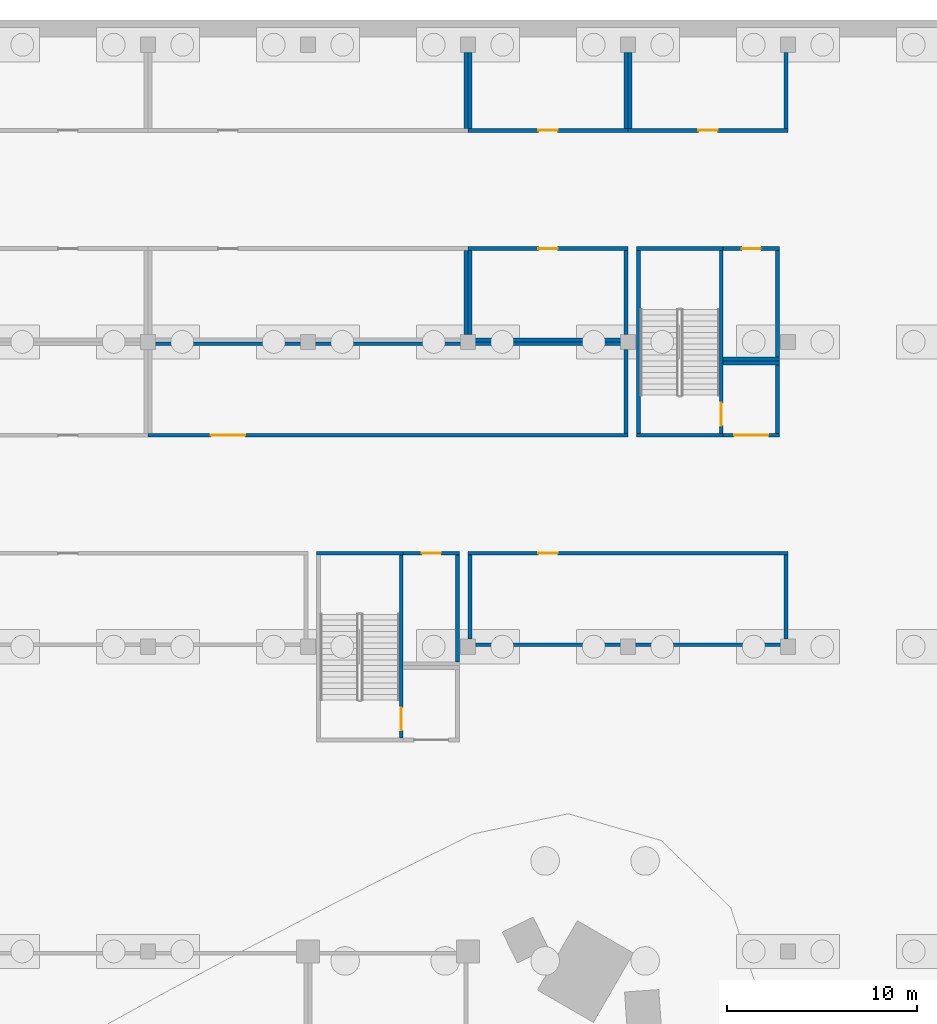
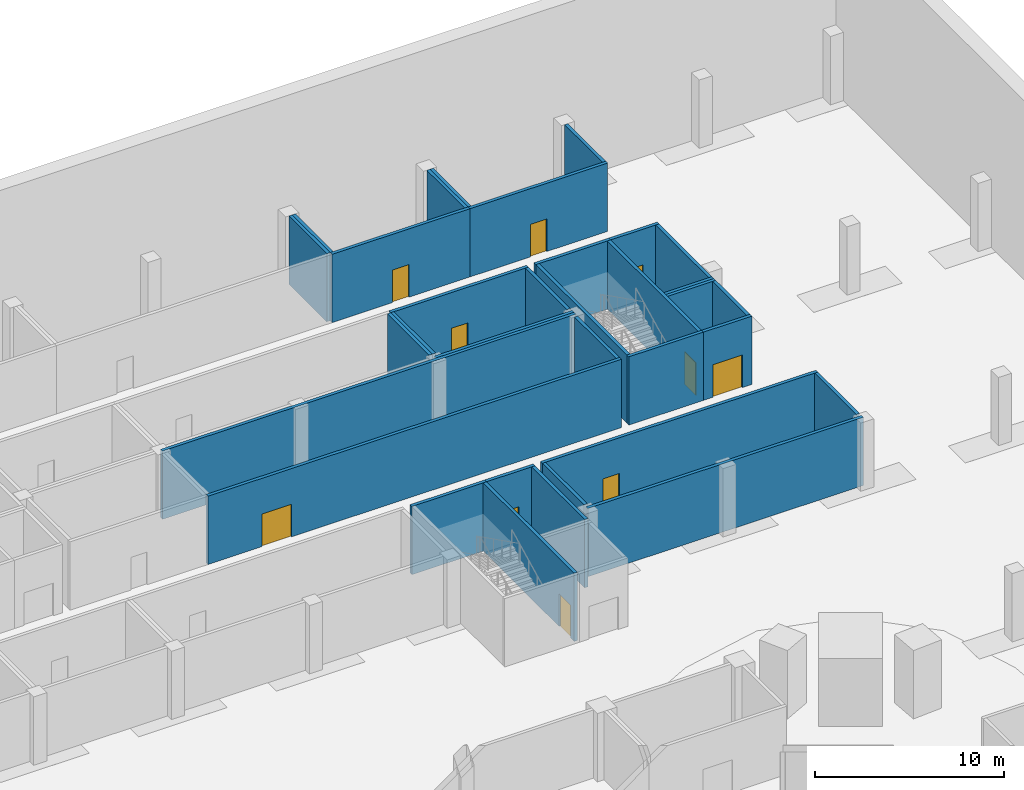
# One storey, part 25 of 46: 33 walls, 10 doors, 10 openings.
"""IFC4 building model written with IfcOpenShell, lengths in metres."""

from ifc_helpers import new_model, si_unit, direction, frame, frame_2d, origin, place, context, subcontext, project, spatial, rectangle, extrude, material, layer, layer_set, type_object, element, fill, save


model = new_model("IFC4")

# Units and contexts
model_context = context("Model", 3, precision=1e-05, world=origin(), true_north=direction((0.0, 1.0)))
body_context = subcontext(model_context, "Body", "Model", "MODEL_VIEW")
ifc_project = project(units=[si_unit("LENGTHUNIT", "METRE"), si_unit("AREAUNIT", "SQUARE_METRE"), si_unit("VOLUMEUNIT", "CUBIC_METRE"), si_unit("PLANEANGLEUNIT", "RADIAN"), si_unit("MASSUNIT", "GRAM", prefix="KILO")], contexts=[model_context])

# Site, building, storey
site_placement = place(None, origin())
site = spatial("IfcSite", under=ifc_project, at=site_placement, CompositionType="ELEMENT")
building_placement = place(site_placement, origin())
building = spatial("IfcBuilding", under=site, at=building_placement, Name="Tamra Quay Hotel Tower", CompositionType="ELEMENT")
storey_placement = place(building_placement, frame((0.0, 0.0, -12.0)))
storey = spatial("IfcBuildingStorey", under=building, at=storey_placement, Name="B3", CompositionType="ELEMENT", Elevation=-12.0)

# Wall
ifc_material_1 = material(Name="Blockwork", Category="masonry")
ifc_layer_1 = layer(ifc_material_1, 0.199951171875)
ifc_layer_set_1 = layer_set([ifc_layer_1], Name="Car park room wall 200")
wall_type_1 = type_object("IfcWallType", Name="Car park room wall 200", PredefinedType="PARTITIONING", material=ifc_layer_set_1)
wall_1_placement = place(storey_placement, frame((11.699951171875, 48.10009765625, 0.0), z_axis=(0.0, 0.0, 1.0), x_axis=(1.0, 0.0, 0.0)))
element("IfcWall", 1, at=wall_1_placement, inside=storey, type_object=wall_type_1, Name="PW", PredefinedType="PARTITIONING", context=body_context, shape_type="SweptSolid", body=[
    extrude(rectangle(XDim=16.800048828125, YDim=0.199951171875, at=frame_2d((8.39990234375, 0.0))), origin(), (0.0, 0.0, 1.0), 4.39990234375),
])

# Wall, opening, door
wall_2_placement = place(storey_placement, frame((11.699951171875, 52.89990234375, 0.0), z_axis=(0.0, 0.0, 1.0), x_axis=(1.0, 0.0, 0.0)))
wall_2 = element("IfcWall", 2, at=wall_2_placement, inside=storey, type_object=wall_type_1, Name="PW", PredefinedType="PARTITIONING", context=body_context, shape_type="SweptSolid", body=[
    extrude(rectangle(XDim=16.800048828125, YDim=0.199951171875, at=frame_2d((8.39990234375, 0.0))), origin(), (0.0, 0.0, 1.0), 4.39990234375),
])
opening_1_placement = place(wall_2_placement, frame((3.699951171875, 0.0, 0.0)))
opening_1 = element("IfcOpeningElement", 3, at=opening_1_placement, cuts=wall_2, Name="Opening PD1", PredefinedType="OPENING", context=body_context, shape_type="SweptSolid", body=[
    extrude(rectangle(XDim=1.0, YDim=2.10009765625, at=frame_2d((0.5, 1.050048828125))), frame((0.0, 0.10986328125, 0.0), z_axis=(0.0, -1.0, 0.0), x_axis=(1.0, 0.0, 0.0)), (0.0, 0.0, 1.0), 0.219970703125),
])
ifc_material_2 = material(Name="Car park door 1000 x 2100")
door_type_1 = type_object("IfcDoorType", Name="Car park door 1000 x 2100", OperationType="NOTDEFINED", PredefinedType="DOOR", material=ifc_material_2)
door_1_placement = place(opening_1_placement, origin())
door_1 = element("IfcDoor", 4, at=door_1_placement, inside=storey, type_object=door_type_1, Name="PD1", OperationType="SINGLE_SWING_LEFT", OverallHeight=2.10009765625, OverallWidth=1.0, PredefinedType="DOOR", context=body_context, shape_type="SweptSolid", body=[
    extrude(rectangle(XDim=1.0, YDim=2.10009765625, at=frame_2d((0.5, 1.050048828125))), frame((0.0, 0.02490234375, 0.0), z_axis=(0.0, -1.0, 0.0), x_axis=(1.0, 0.0, 0.0)), (0.0, 0.0, 1.0), 0.050048828125),
])
fill(opening_1, door_1)

# Walls
for number, where, z_axis, x_axis, name in (
    (5, (11.800048828125, 48.39990234375, 0.0), (0.0, 0.0, 1.0), (0.0, 1.0, 0.0), "PW"),
    (6, (28.39990234375, 48.39990234375, 0.0), (0.0, 0.0, 1.0), (0.0, 1.0, 0.0), "PW"),
):
    element("IfcWall", number, at=place(storey_placement, frame(where, z_axis=z_axis, x_axis=x_axis)), inside=storey, type_object=wall_type_1, Name=name, PredefinedType="PARTITIONING", context=body_context, shape_type="SweptSolid", body=[
        extrude(rectangle(XDim=4.400146484375, YDim=0.199951171875, at=frame_2d((2.2001953125, 0.0))), origin(), (0.0, 0.0, 1.0), 4.39990234375),
    ])

# Wall, opening, door
wall_3_placement = place(storey_placement, frame((-5.10009765625, 59.10009765625, 0.0), z_axis=(0.0, 0.0, 1.0), x_axis=(1.0, 0.0, 0.0)))
wall_3 = element("IfcWall", 7, at=wall_3_placement, inside=storey, type_object=wall_type_1, Name="PW", PredefinedType="PARTITIONING", context=body_context, shape_type="SweptSolid", body=[
    extrude(rectangle(XDim=25.2001953125, YDim=0.199951171875, at=frame_2d((12.60009765625, 0.0))), origin(), (0.0, 0.0, 1.0), 4.39990234375),
])
opening_2_placement = place(wall_3_placement, frame((3.300048828125, 0.0, 0.0)))
opening_2 = element("IfcOpeningElement", 8, at=opening_2_placement, cuts=wall_3, Name="Opening PD2", PredefinedType="OPENING", context=body_context, shape_type="SweptSolid", body=[
    extrude(rectangle(XDim=1.800048828125, YDim=2.10009765625, at=frame_2d((0.89990234375, 1.050048828125))), frame((0.0, 0.10986328125, 0.0), z_axis=(0.0, -1.0, 0.0), x_axis=(1.0, 0.0, 0.0)), (0.0, 0.0, 1.0), 0.219970703125),
])
ifc_material_3 = material(Name="Plant door 1800 x 2100")
door_type_2 = type_object("IfcDoorType", Name="Plant door 1800 x 2100", OperationType="DOUBLE_DOOR_SINGLE_SWING", PredefinedType="DOOR", material=ifc_material_3)
door_2_placement = place(opening_2_placement, origin())
door_2 = element("IfcDoor", 9, at=door_2_placement, inside=storey, type_object=door_type_2, Name="PD2", OperationType="DOUBLE_DOOR_SINGLE_SWING", OverallHeight=2.10009765625, OverallWidth=1.800048828125, PredefinedType="DOOR", context=body_context, shape_type="SweptSolid", body=[
    extrude(rectangle(XDim=1.800048828125, YDim=2.10009765625, at=frame_2d((0.89990234375, 1.050048828125))), frame((0.0, 0.02490234375, 0.0), z_axis=(0.0, -1.0, 0.0), x_axis=(1.0, 0.0, 0.0)), (0.0, 0.0, 1.0), 0.050048828125),
])
fill(opening_2, door_2)

# Walls
wall_4_placement = place(storey_placement, frame((-5.10009765625, 63.89990234375, 0.0), z_axis=(0.0, 0.0, 1.0), x_axis=(1.0, 0.0, 0.0)))
element("IfcWall", 10, at=wall_4_placement, inside=storey, type_object=wall_type_1, Name="PW", PredefinedType="PARTITIONING", context=body_context, shape_type="SweptSolid", body=[
    extrude(rectangle(XDim=25.2001953125, YDim=0.199951171875, at=frame_2d((12.60009765625, 0.0))), origin(), (0.0, 0.0, 1.0), 4.39990234375),
])
for number, where, z_axis, x_axis, name in (
    (11, (20.0, 59.199951171875, 0.0), (0.0, 0.0, 1.0), (0.0, 1.0, 0.0), "PW"),
    (12, (11.60009765625, 64.39990234375, 0.0), (0.0, 0.0, 1.0), (0.0, 1.0, 0.0), "PW"),
):
    element("IfcWall", number, at=place(storey_placement, frame(where, z_axis=z_axis, x_axis=x_axis)), inside=storey, type_object=wall_type_1, Name=name, PredefinedType="PARTITIONING", context=body_context, shape_type="SweptSolid", body=[
        extrude(rectangle(XDim=4.400146484375, YDim=0.199951171875, at=frame_2d((2.2001953125, 0.0))), origin(), (0.0, 0.0, 1.0), 4.39990234375),
    ])
wall_5_placement = place(storey_placement, frame((11.699951171875, 64.10009765625, 0.0), z_axis=(0.0, 0.0, 1.0), x_axis=(1.0, 0.0, 0.0)))
element("IfcWall", 13, at=wall_5_placement, inside=storey, type_object=wall_type_1, Name="PW", PredefinedType="PARTITIONING", context=body_context, shape_type="SweptSolid", body=[
    extrude(rectangle(XDim=8.400146484375, YDim=0.199951171875, at=frame_2d((4.2001953125, 0.0))), origin(), (0.0, 0.0, 1.0), 4.39990234375),
])

# Wall, opening, door
wall_6_placement = place(storey_placement, frame((11.699951171875, 68.89990234375, 0.0), z_axis=(0.0, 0.0, 1.0), x_axis=(1.0, 0.0, 0.0)))
wall_6 = element("IfcWall", 14, at=wall_6_placement, inside=storey, type_object=wall_type_1, Name="PW", PredefinedType="PARTITIONING", context=body_context, shape_type="SweptSolid", body=[
    extrude(rectangle(XDim=8.400146484375, YDim=0.199951171875, at=frame_2d((4.2001953125, 0.0))), origin(), (0.0, 0.0, 1.0), 4.39990234375),
])
opening_3_placement = place(wall_6_placement, frame((3.699951171875, 0.0, 0.0)))
opening_3 = element("IfcOpeningElement", 15, at=opening_3_placement, cuts=wall_6, Name="Opening PD1", PredefinedType="OPENING", context=body_context, shape_type="SweptSolid", body=[
    extrude(rectangle(XDim=1.0, YDim=2.10009765625, at=frame_2d((0.5, 1.050048828125))), frame((0.0, 0.10986328125, 0.0), z_axis=(0.0, -1.0, 0.0), x_axis=(1.0, 0.0, 0.0)), (0.0, 0.0, 1.0), 0.219970703125),
])
door_3_placement = place(opening_3_placement, origin())
door_3 = element("IfcDoor", 16, at=door_3_placement, inside=storey, type_object=door_type_1, Name="PD1", OperationType="SINGLE_SWING_LEFT", OverallHeight=2.10009765625, OverallWidth=1.0, PredefinedType="DOOR", context=body_context, shape_type="SweptSolid", body=[
    extrude(rectangle(XDim=1.0, YDim=2.10009765625, at=frame_2d((0.5, 1.050048828125))), frame((0.0, 0.02490234375, 0.0), z_axis=(0.0, -1.0, 0.0), x_axis=(1.0, 0.0, 0.0)), (0.0, 0.0, 1.0), 0.050048828125),
])
fill(opening_3, door_3)

# Walls
for number, where, z_axis, x_axis, name in (
    (17, (11.800048828125, 64.39990234375, 0.0), (0.0, 0.0, 1.0), (0.0, 1.0, 0.0), "PW"),
    (18, (20.0, 64.39990234375, 0.0), (0.0, 0.0, 1.0), (0.0, 1.0, 0.0), "PW"),
):
    element("IfcWall", number, at=place(storey_placement, frame(where, z_axis=z_axis, x_axis=x_axis)), inside=storey, type_object=wall_type_1, Name=name, PredefinedType="PARTITIONING", context=body_context, shape_type="SweptSolid", body=[
        extrude(rectangle(XDim=4.400146484375, YDim=0.199951171875, at=frame_2d((2.2001953125, 0.0))), origin(), (0.0, 0.0, 1.0), 4.39990234375),
    ])
wall_7_placement = place(storey_placement, frame((11.60009765625, 75.199951171875, 0.0), z_axis=(0.0, 0.0, 1.0), x_axis=(0.0, 1.0, 0.0)))
element("IfcWall", 19, at=wall_7_placement, inside=storey, type_object=wall_type_1, Name="PW", PredefinedType="PARTITIONING", context=body_context, shape_type="SweptSolid", body=[
    extrude(rectangle(XDim=4.0, YDim=0.199951171875, at=frame_2d((2.0, 0.0))), origin(), (0.0, 0.0, 1.0), 4.39990234375),
])

# Wall, opening, door
wall_8_placement = place(storey_placement, frame((11.699951171875, 75.10009765625, 0.0), z_axis=(0.0, 0.0, 1.0), x_axis=(1.0, 0.0, 0.0)))
wall_8 = element("IfcWall", 20, at=wall_8_placement, inside=storey, type_object=wall_type_1, Name="PW", PredefinedType="PARTITIONING", context=body_context, shape_type="SweptSolid", body=[
    extrude(rectangle(XDim=8.400146484375, YDim=0.199951171875, at=frame_2d((4.2001953125, 0.0))), origin(), (0.0, 0.0, 1.0), 4.39990234375),
])
opening_4_placement = place(wall_8_placement, frame((3.699951171875, 0.0, 0.0)))
opening_4 = element("IfcOpeningElement", 21, at=opening_4_placement, cuts=wall_8, Name="Opening PD1", PredefinedType="OPENING", context=body_context, shape_type="SweptSolid", body=[
    extrude(rectangle(XDim=1.0, YDim=2.10009765625, at=frame_2d((0.5, 1.050048828125))), frame((0.0, 0.10986328125, 0.0), z_axis=(0.0, -1.0, 0.0), x_axis=(1.0, 0.0, 0.0)), (0.0, 0.0, 1.0), 0.219970703125),
])
door_4_placement = place(opening_4_placement, origin())
door_4 = element("IfcDoor", 22, at=door_4_placement, inside=storey, type_object=door_type_1, Name="PD1", OperationType="SINGLE_SWING_LEFT", OverallHeight=2.10009765625, OverallWidth=1.0, PredefinedType="DOOR", context=body_context, shape_type="SweptSolid", body=[
    extrude(rectangle(XDim=1.0, YDim=2.10009765625, at=frame_2d((0.5, 1.050048828125))), frame((0.0, 0.02490234375, 0.0), z_axis=(0.0, -1.0, 0.0), x_axis=(1.0, 0.0, 0.0)), (0.0, 0.0, 1.0), 0.050048828125),
])
fill(opening_4, door_4)

# Walls
for number, where, z_axis, x_axis, name in (
    (23, (11.800048828125, 75.199951171875, 0.0), (0.0, 0.0, 1.0), (0.0, 1.0, 0.0), "PW"),
    (24, (20.0, 75.199951171875, 0.0), (0.0, 0.0, 1.0), (0.0, 1.0, 0.0), "PW"),
):
    element("IfcWall", number, at=place(storey_placement, frame(where, z_axis=z_axis, x_axis=x_axis)), inside=storey, type_object=wall_type_1, Name=name, PredefinedType="PARTITIONING", context=body_context, shape_type="SweptSolid", body=[
        extrude(rectangle(XDim=4.0, YDim=0.199951171875, at=frame_2d((2.0, 0.0))), origin(), (0.0, 0.0, 1.0), 4.39990234375),
    ])

# Wall, opening, door
wall_9_placement = place(storey_placement, frame((20.10009765625, 75.10009765625, 0.0), z_axis=(0.0, 0.0, 1.0), x_axis=(1.0, 0.0, 0.0)))
wall_9 = element("IfcWall", 25, at=wall_9_placement, inside=storey, type_object=wall_type_1, Name="PW", PredefinedType="PARTITIONING", context=body_context, shape_type="SweptSolid", body=[
    extrude(rectangle(XDim=8.39990234375, YDim=0.199951171875, at=frame_2d((4.199951171875, 0.0))), origin(), (0.0, 0.0, 1.0), 4.39990234375),
])
opening_5_placement = place(wall_9_placement, frame((3.699951171875, 0.0, 0.0)))
opening_5 = element("IfcOpeningElement", 26, at=opening_5_placement, cuts=wall_9, Name="Opening PD1", PredefinedType="OPENING", context=body_context, shape_type="SweptSolid", body=[
    extrude(rectangle(XDim=1.0, YDim=2.10009765625, at=frame_2d((0.5, 1.050048828125))), frame((0.0, 0.10986328125, 0.0), z_axis=(0.0, -1.0, 0.0), x_axis=(1.0, 0.0, 0.0)), (0.0, 0.0, 1.0), 0.219970703125),
])
door_5_placement = place(opening_5_placement, origin())
door_5 = element("IfcDoor", 27, at=door_5_placement, inside=storey, type_object=door_type_1, Name="PD1", OperationType="SINGLE_SWING_LEFT", OverallHeight=2.10009765625, OverallWidth=1.0, PredefinedType="DOOR", context=body_context, shape_type="SweptSolid", body=[
    extrude(rectangle(XDim=1.0, YDim=2.10009765625, at=frame_2d((0.5, 1.050048828125))), frame((0.0, 0.02490234375, 0.0), z_axis=(0.0, -1.0, 0.0), x_axis=(1.0, 0.0, 0.0)), (0.0, 0.0, 1.0), 0.050048828125),
])
fill(opening_5, door_5)

# Walls
for number, where, z_axis, x_axis, name in (
    (28, (20.199951171875, 75.199951171875, 0.0), (0.0, 0.0, 1.0), (0.0, 1.0, 0.0), "PW"),
    (29, (28.39990234375, 75.199951171875, 0.0), (0.0, 0.0, 1.0), (0.0, 1.0, 0.0), "PW"),
):
    element("IfcWall", number, at=place(storey_placement, frame(where, z_axis=z_axis, x_axis=x_axis)), inside=storey, type_object=wall_type_1, Name=name, PredefinedType="PARTITIONING", context=body_context, shape_type="SweptSolid", body=[
        extrude(rectangle(XDim=4.0, YDim=0.199951171875, at=frame_2d((2.0, 0.0))), origin(), (0.0, 0.0, 1.0), 4.39990234375),
    ])

# Wall, opening, door
wall_10_placement = place(storey_placement, frame((8.300048828125, 52.89990234375, 0.0), z_axis=(0.0, 0.0, 1.0), x_axis=(1.0, 0.0, 0.0)))
wall_10 = element("IfcWall", 30, at=wall_10_placement, inside=storey, type_object=wall_type_1, Name="PW", PredefinedType="PARTITIONING", context=body_context, shape_type="SweptSolid", body=[
    extrude(rectangle(XDim=2.949951171875, YDim=0.199951171875, at=frame_2d((1.47509765625, 0.0))), origin(), (0.0, 0.0, 1.0), 4.39990234375),
])
opening_6_placement = place(wall_10_placement, frame((0.97509765625, 0.0, 0.0)))
opening_6 = element("IfcOpeningElement", 31, at=opening_6_placement, cuts=wall_10, Name="Opening PD1", PredefinedType="OPENING", context=body_context, shape_type="SweptSolid", body=[
    extrude(rectangle(XDim=1.0, YDim=2.10009765625, at=frame_2d((0.5, 1.050048828125))), frame((0.0, 0.10986328125, 0.0), z_axis=(0.0, -1.0, 0.0), x_axis=(1.0, 0.0, 0.0)), (0.0, 0.0, 1.0), 0.219970703125),
])
door_6_placement = place(opening_6_placement, origin())
door_6 = element("IfcDoor", 32, at=door_6_placement, inside=storey, type_object=door_type_1, Name="PD1", OperationType="SINGLE_SWING_LEFT", OverallHeight=2.10009765625, OverallWidth=1.0, PredefinedType="DOOR", context=body_context, shape_type="SweptSolid", body=[
    extrude(rectangle(XDim=1.0, YDim=2.10009765625, at=frame_2d((0.5, 1.050048828125))), frame((0.0, 0.02490234375, 0.0), z_axis=(0.0, -1.0, 0.0), x_axis=(1.0, 0.0, 0.0)), (0.0, 0.0, 1.0), 0.050048828125),
])
fill(opening_6, door_6)

# Wall
wall_11_placement = place(storey_placement, frame((11.14990234375, 47.199951171875, 0.0), z_axis=(0.0, 0.0, 1.0), x_axis=(0.0, 1.0, 0.0)))
element("IfcWall", 33, at=wall_11_placement, inside=storey, type_object=wall_type_1, Name="PW", PredefinedType="PARTITIONING", context=body_context, shape_type="SweptSolid", body=[
    extrude(rectangle(XDim=5.60009765625, YDim=0.199951171875, at=frame_2d((2.800048828125, 0.0))), origin(), (0.0, 0.0, 1.0), 4.39990234375),
])

# Wall, opening, door
wall_12_placement = place(storey_placement, frame((25.10009765625, 59.10009765625, 0.0), z_axis=(0.0, 0.0, 1.0), x_axis=(1.0, 0.0, 0.0)))
wall_12 = element("IfcWall", 34, at=wall_12_placement, inside=storey, type_object=wall_type_1, Name="PW", PredefinedType="PARTITIONING", context=body_context, shape_type="SweptSolid", body=[
    extrude(rectangle(XDim=2.949951171875, YDim=0.199951171875, at=frame_2d((1.47509765625, 0.0))), origin(), (0.0, 0.0, 1.0), 4.39990234375),
])
opening_7_placement = place(wall_12_placement, frame((0.574951171875, 0.0, 0.0)))
opening_7 = element("IfcOpeningElement", 35, at=opening_7_placement, cuts=wall_12, Name="Opening PD2", PredefinedType="OPENING", context=body_context, shape_type="SweptSolid", body=[
    extrude(rectangle(XDim=1.800048828125, YDim=2.10009765625, at=frame_2d((0.89990234375, 1.050048828125))), frame((0.0, 0.10986328125, 0.0), z_axis=(0.0, -1.0, 0.0), x_axis=(1.0, 0.0, 0.0)), (0.0, 0.0, 1.0), 0.219970703125),
])
door_7_placement = place(opening_7_placement, origin())
door_7 = element("IfcDoor", 36, at=door_7_placement, inside=storey, type_object=door_type_2, Name="PD2", OperationType="DOUBLE_DOOR_SINGLE_SWING", OverallHeight=2.10009765625, OverallWidth=1.800048828125, PredefinedType="DOOR", context=body_context, shape_type="SweptSolid", body=[
    extrude(rectangle(XDim=1.800048828125, YDim=2.10009765625, at=frame_2d((0.89990234375, 1.050048828125))), frame((0.0, 0.02490234375, 0.0), z_axis=(0.0, -1.0, 0.0), x_axis=(1.0, 0.0, 0.0)), (0.0, 0.0, 1.0), 0.050048828125),
])
fill(opening_7, door_7)

# Walls
wall_13_placement = place(storey_placement, frame((25.10009765625, 62.89990234375, 0.0), z_axis=(0.0, 0.0, 1.0), x_axis=(1.0, 0.0, 0.0)))
element("IfcWall", 37, at=wall_13_placement, inside=storey, type_object=wall_type_1, Name="PW", PredefinedType="PARTITIONING", context=body_context, shape_type="SweptSolid", body=[
    extrude(rectangle(XDim=2.949951171875, YDim=0.199951171875, at=frame_2d((1.47509765625, 0.0))), origin(), (0.0, 0.0, 1.0), 4.39990234375),
])
wall_14_placement = place(storey_placement, frame((27.949951171875, 59.199951171875, 0.0), z_axis=(0.0, 0.0, 1.0), x_axis=(0.0, 1.0, 0.0)))
element("IfcWall", 38, at=wall_14_placement, inside=storey, type_object=wall_type_1, Name="PW", PredefinedType="PARTITIONING", context=body_context, shape_type="SweptSolid", body=[
    extrude(rectangle(XDim=3.60009765625, YDim=0.199951171875, at=frame_2d((1.800048828125, 0.0))), origin(), (0.0, 0.0, 1.0), 4.39990234375),
])
wall_15_placement = place(storey_placement, frame((25.10009765625, 63.10009765625, 0.0), z_axis=(0.0, 0.0, 1.0), x_axis=(1.0, 0.0, 0.0)))
element("IfcWall", 39, at=wall_15_placement, inside=storey, type_object=wall_type_1, Name="PW", PredefinedType="PARTITIONING", context=body_context, shape_type="SweptSolid", body=[
    extrude(rectangle(XDim=2.949951171875, YDim=0.199951171875, at=frame_2d((1.47509765625, 0.0))), origin(), (0.0, 0.0, 1.0), 4.39990234375),
])

# Wall, opening, door
wall_16_placement = place(storey_placement, frame((25.10009765625, 68.89990234375, 0.0), z_axis=(0.0, 0.0, 1.0), x_axis=(1.0, 0.0, 0.0)))
wall_16 = element("IfcWall", 40, at=wall_16_placement, inside=storey, type_object=wall_type_1, Name="PW", PredefinedType="PARTITIONING", context=body_context, shape_type="SweptSolid", body=[
    extrude(rectangle(XDim=2.949951171875, YDim=0.199951171875, at=frame_2d((1.47509765625, 0.0))), origin(), (0.0, 0.0, 1.0), 4.39990234375),
])
opening_8_placement = place(wall_16_placement, frame((0.97509765625, 0.0, 0.0)))
opening_8 = element("IfcOpeningElement", 41, at=opening_8_placement, cuts=wall_16, Name="Opening PD1", PredefinedType="OPENING", context=body_context, shape_type="SweptSolid", body=[
    extrude(rectangle(XDim=1.0, YDim=2.10009765625, at=frame_2d((0.5, 1.050048828125))), frame((0.0, 0.10986328125, 0.0), z_axis=(0.0, -1.0, 0.0), x_axis=(1.0, 0.0, 0.0)), (0.0, 0.0, 1.0), 0.219970703125),
])
door_8_placement = place(opening_8_placement, origin())
door_8 = element("IfcDoor", 42, at=door_8_placement, inside=storey, type_object=door_type_1, Name="PD1", OperationType="SINGLE_SWING_LEFT", OverallHeight=2.10009765625, OverallWidth=1.0, PredefinedType="DOOR", context=body_context, shape_type="SweptSolid", body=[
    extrude(rectangle(XDim=1.0, YDim=2.10009765625, at=frame_2d((0.5, 1.050048828125))), frame((0.0, 0.02490234375, 0.0), z_axis=(0.0, -1.0, 0.0), x_axis=(1.0, 0.0, 0.0)), (0.0, 0.0, 1.0), 0.050048828125),
])
fill(opening_8, door_8)

# Wall
wall_17_placement = place(storey_placement, frame((27.949951171875, 63.199951171875, 0.0), z_axis=(0.0, 0.0, 1.0), x_axis=(0.0, 1.0, 0.0)))
element("IfcWall", 43, at=wall_17_placement, inside=storey, type_object=wall_type_1, Name="PW", PredefinedType="PARTITIONING", context=body_context, shape_type="SweptSolid", body=[
    extrude(rectangle(XDim=5.60009765625, YDim=0.199951171875, at=frame_2d((2.800048828125, 0.0))), origin(), (0.0, 0.0, 1.0), 4.39990234375),
])

# Wall, opening, door
ifc_material_4 = material(Name="Concrete M70", Category="concrete")
ifc_layer_2 = layer(ifc_material_4, 0.199951171875)
ifc_layer_set_2 = layer_set([ifc_layer_2], Name="Concrete M70 stair enclosure wall 200")
wall_type_2 = type_object("IfcWallType", Name="Concrete M70 stair enclosure wall 200", PredefinedType="SOLIDWALL", material=ifc_layer_set_2)
wall_18_placement = place(storey_placement, frame((8.199951171875, 43.199951171875, 0.0), z_axis=(0.0, 0.0, 1.0), x_axis=(0.0, 1.0, 0.0)))
wall_18 = element("IfcWall", 44, at=wall_18_placement, inside=storey, type_object=wall_type_2, Name="SEW", PredefinedType="SOLIDWALL", context=body_context, shape_type="SweptSolid", body=[
    extrude(rectangle(XDim=9.60009765625, YDim=0.199951171875, at=frame_2d((4.800048828125, 0.0))), origin(), (0.0, 0.0, 1.0), 4.39990234375),
])
opening_9_placement = place(wall_18_placement, frame((0.39990234375, 0.0, 0.0)))
opening_9 = element("IfcOpeningElement", 45, at=opening_9_placement, cuts=wall_18, Name="Opening SD1", PredefinedType="OPENING", context=body_context, shape_type="SweptSolid", body=[
    extrude(rectangle(XDim=1.199951171875, YDim=2.10009765625, at=frame_2d((0.60009765625, 1.050048828125))), frame((0.0, 0.10986328125, 0.0), z_axis=(0.0, -1.0, 0.0), x_axis=(1.0, 0.0, 0.0)), (0.0, 0.0, 1.0), 0.219970703125),
])
ifc_material_5 = material(Name="Stair door 1200 x 2100")
door_type_3 = type_object("IfcDoorType", Name="Stair door 1200 x 2100", OperationType="NOTDEFINED", PredefinedType="DOOR", material=ifc_material_5)
door_9_placement = place(opening_9_placement, origin())
door_9 = element("IfcDoor", 46, at=door_9_placement, inside=storey, type_object=door_type_3, Name="SD1", OperationType="SINGLE_SWING_LEFT", OverallHeight=2.10009765625, OverallWidth=1.199951171875, PredefinedType="DOOR", context=body_context, shape_type="SweptSolid", body=[
    extrude(rectangle(XDim=1.199951171875, YDim=2.10009765625, at=frame_2d((0.60009765625, 1.050048828125))), frame((0.0, 0.02490234375, 0.0), z_axis=(0.0, -1.0, 0.0), x_axis=(1.0, 0.0, 0.0)), (0.0, 0.0, 1.0), 0.050048828125),
])
fill(opening_9, door_9)

# Walls
wall_19_placement = place(storey_placement, frame((3.75, 52.89990234375, 0.0), z_axis=(0.0, 0.0, 1.0), x_axis=(1.0, 0.0, 0.0)))
element("IfcWall", 47, at=wall_19_placement, inside=storey, type_object=wall_type_2, Name="SEW", PredefinedType="SOLIDWALL", context=body_context, shape_type="SweptSolid", body=[
    extrude(rectangle(XDim=4.550048828125, YDim=0.199951171875, at=frame_2d((2.27490234375, 0.0))), origin(), (0.0, 0.0, 1.0), 4.39990234375),
])
wall_20_placement = place(storey_placement, frame((20.64990234375, 59.199951171875, 0.0), z_axis=(0.0, 0.0, 1.0), x_axis=(0.0, 1.0, 0.0)))
element("IfcWall", 48, at=wall_20_placement, inside=storey, type_object=wall_type_2, Name="SEW", PredefinedType="SOLIDWALL", context=body_context, shape_type="SweptSolid", body=[
    extrude(rectangle(XDim=9.60009765625, YDim=0.199951171875, at=frame_2d((4.800048828125, 0.0))), origin(), (0.0, 0.0, 1.0), 4.39990234375),
])

# Wall, opening, door
wall_21_placement = place(storey_placement, frame((25.0, 59.199951171875, 0.0), z_axis=(0.0, 0.0, 1.0), x_axis=(0.0, 1.0, 0.0)))
wall_21 = element("IfcWall", 49, at=wall_21_placement, inside=storey, type_object=wall_type_2, Name="SEW", PredefinedType="SOLIDWALL", context=body_context, shape_type="SweptSolid", body=[
    extrude(rectangle(XDim=9.60009765625, YDim=0.199951171875, at=frame_2d((4.800048828125, 0.0))), origin(), (0.0, 0.0, 1.0), 4.39990234375),
])
opening_10_placement = place(wall_21_placement, frame((0.39990234375, 0.0, 0.0)))
opening_10 = element("IfcOpeningElement", 50, at=opening_10_placement, cuts=wall_21, Name="Opening SD1", PredefinedType="OPENING", context=body_context, shape_type="SweptSolid", body=[
    extrude(rectangle(XDim=1.199951171875, YDim=2.10009765625, at=frame_2d((0.60009765625, 1.050048828125))), frame((0.0, 0.10986328125, 0.0), z_axis=(0.0, -1.0, 0.0), x_axis=(1.0, 0.0, 0.0)), (0.0, 0.0, 1.0), 0.219970703125),
])
door_10_placement = place(opening_10_placement, origin())
door_10 = element("IfcDoor", 51, at=door_10_placement, inside=storey, type_object=door_type_3, Name="SD1", OperationType="SINGLE_SWING_LEFT", OverallHeight=2.10009765625, OverallWidth=1.199951171875, PredefinedType="DOOR", context=body_context, shape_type="SweptSolid", body=[
    extrude(rectangle(XDim=1.199951171875, YDim=2.10009765625, at=frame_2d((0.60009765625, 1.050048828125))), frame((0.0, 0.02490234375, 0.0), z_axis=(0.0, -1.0, 0.0), x_axis=(1.0, 0.0, 0.0)), (0.0, 0.0, 1.0), 0.050048828125),
])
fill(opening_10, door_10)

# Walls
for number, where, z_axis, x_axis, name in (
    (52, (25.10009765625, 59.10009765625, 0.0), (0.0, 0.0, 1.0), (-1.0, 0.0, 0.0), "SEW"),
    (53, (20.550048828125, 68.89990234375, 0.0), (0.0, 0.0, 1.0), (1.0, 0.0, 0.0), "SEW"),
):
    element("IfcWall", number, at=place(storey_placement, frame(where, z_axis=z_axis, x_axis=x_axis)), inside=storey, type_object=wall_type_2, Name=name, PredefinedType="SOLIDWALL", context=body_context, shape_type="SweptSolid", body=[
        extrude(rectangle(XDim=4.550048828125, YDim=0.199951171875, at=frame_2d((2.27490234375, 0.0))), origin(), (0.0, 0.0, 1.0), 4.39990234375),
    ])

save(model, "model.ifc")
